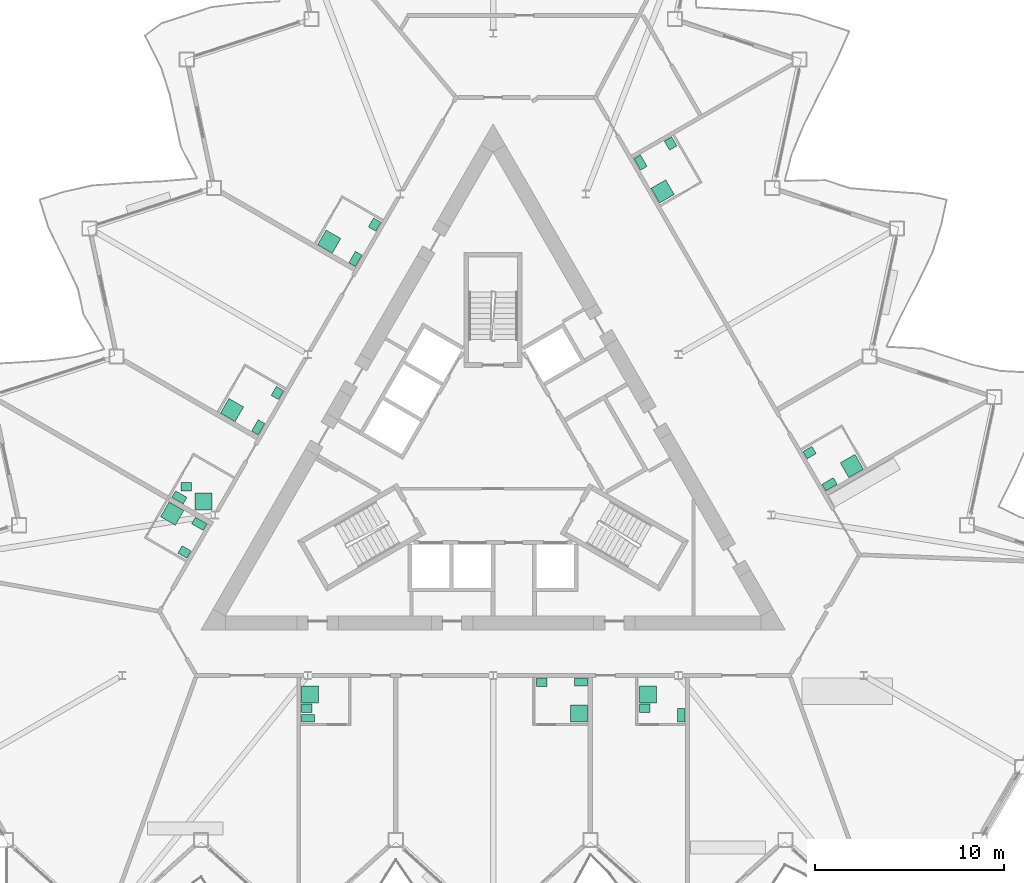
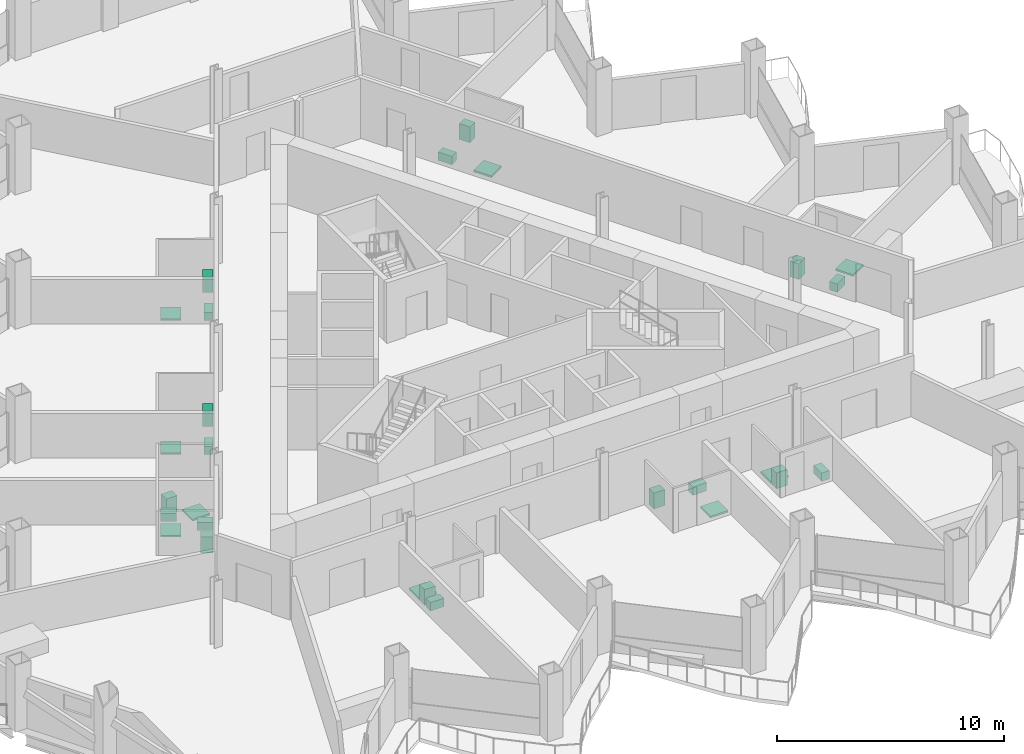
# One storey, part 22 of 23: 27 sanitary terminals.
"""IFC4 building model written with IfcOpenShell, lengths in metres."""

from ifc_helpers import new_model, si_unit, direction, frame, origin, origin_2d, place, context, subcontext, project, spatial, rectangle, extrude, material, type_object, element, save


model = new_model("IFC4")

# Units and contexts
model_context = context("Model", 3, precision=1e-05, world=origin(), true_north=direction((0.0, 1.0)))
body_context = subcontext(model_context, "Body", "Model", "MODEL_VIEW")
ifc_project = project(units=[si_unit("LENGTHUNIT", "METRE"), si_unit("AREAUNIT", "SQUARE_METRE"), si_unit("VOLUMEUNIT", "CUBIC_METRE"), si_unit("PLANEANGLEUNIT", "RADIAN"), si_unit("MASSUNIT", "GRAM", prefix="KILO")], contexts=[model_context])

# Site, building, storey
site_placement = place(None, origin())
site = spatial("IfcSite", under=ifc_project, at=site_placement, CompositionType="ELEMENT")
building_placement = place(site_placement, origin())
building = spatial("IfcBuilding", under=site, at=building_placement, Name="Cormorant Prow Tower", CompositionType="ELEMENT")
storey_placement = place(building_placement, frame((0.0, 0.0, 212.39990234375)))
storey = spatial("IfcBuildingStorey", under=building, at=storey_placement, Name="L47", CompositionType="ELEMENT", Elevation=212.39990234375)

# Sanitary terminals
ifc_material_1 = material(Name="Vitreous china")
sanitary_terminal_type_1 = type_object("IfcSanitaryTerminalType", Name="Shower tray 900x900", PredefinedType="SHOWER", material=ifc_material_1)
for number, where, z_axis, x_axis, name in (
    (1, (-9.71630859375, -12.35400390625, 0.0), (0.0, 0.0, 1.0), (1.0, 0.0, 0.0), "Shower tray"),
    (2, (4.560546875, -13.35400390625, 0.0), (0.0, 0.0, 1.0), (-1.0, 0.0, 0.0), "Shower tray"),
    (3, (8.206298828125, -12.35400390625, 0.0), (0.0, 0.0, 1.0), (1.0, 0.0, 0.0), "Shower tray"),
    (4, (19.02099609375, -0.237548828125, 0.0), (0.0, 0.0, 1.0), (-0.866025403784, -0.5, 0.0), "Shower tray"),
    (5, (8.98876953125, 14.319091796875, 0.0), (0.0, 0.0, 1.0), (-0.5, 0.866025403784, 0.0), "Shower tray"),
    (6, (-8.689453125, 11.6572265625, 0.0), (0.0, 0.0, 1.0), (0.5, 0.866025403784, 0.0), "Shower tray"),
    (7, (-13.84521484375, 2.727294921875, 0.0), (0.0, 0.0, 1.0), (0.5, 0.866025403784, 0.0), "Shower tray"),
    (8, (-15.35595703125, -2.12548828125, 0.0), (0.0, 0.0, 1.0), (1.0, 0.0, 0.0), "Shower tray"),
    (9, (-17.01806640625, -2.76806640625, 0.0), (0.0, 0.0, 1.0), (0.866025403784, -0.5, 0.0), "Shower tray"),
):
    element("IfcSanitaryTerminal", number, at=place(storey_placement, frame(where, z_axis=z_axis, x_axis=x_axis)), inside=storey, type_object=sanitary_terminal_type_1, Name=name, PredefinedType="SHOWER", context=body_context, shape_type="SweptSolid", body=[
        extrude(rectangle(XDim=0.89990234375, YDim=0.89990234375, at=origin_2d()), origin(), (0.0, 0.0, 1.0), 0.10009765625),
    ])
ifc_material_2 = material(Name="Vitreous china")
sanitary_terminal_type_2 = type_object("IfcSanitaryTerminalType", Name="Wash basin 550x450", PredefinedType="WASHHANDBASIN", material=ifc_material_2)
for number, where, z_axis, x_axis, name in (
    (10, (-9.891357421875, -13.078857421875, 0.0), (0.0, 0.0, 1.0), (1.0, 0.0, 0.0), "Wash basin"),
    (11, (2.57568359375, -11.718994140625, 0.0), (0.0, 0.0, 1.0), (1.0, 0.0, 0.0), "Wash basin"),
    (12, (8.03125, -13.078857421875, 0.0), (0.0, 0.0, 1.0), (1.0, 0.0, 0.0), "Wash basin"),
    (13, (16.781005859375, 0.472412109375, 0.0), (0.0, 0.0, 1.0), (0.866025403784, 0.5, 0.0), "Wash basin"),
    (14, (9.412109375, 16.855712890625, 0.0), (0.0, 0.0, 1.0), (0.5, -0.866025403784, 0.0), "Wash basin"),
    (15, (-6.281005859375, 12.55859375, 0.0), (0.0, 0.0, 1.0), (-0.5, -0.866025403784, 0.0), "Wash basin"),
    (16, (-11.436767578125, 3.62890625, 0.0), (0.0, 0.0, 1.0), (-0.5, -0.866025403784, 0.0), "Wash basin"),
    (17, (-16.281005859375, -1.3505859375, 0.0), (0.0, 0.0, 1.0), (1.0, 0.0, 0.0), "Wash basin"),
    (18, (-16.36279296875, -4.803466796875, 0.0), (0.0, 0.0, 1.0), (-0.866025403784, 0.5, 0.0), "Wash basin"),
):
    element("IfcSanitaryTerminal", number, at=place(storey_placement, frame(where, z_axis=z_axis, x_axis=x_axis)), inside=storey, type_object=sanitary_terminal_type_2, Name=name, PredefinedType="WASHHANDBASIN", context=body_context, shape_type="SweptSolid", body=[
        extrude(rectangle(XDim=0.550048828125, YDim=0.449951171875, at=origin_2d()), origin(), (0.0, 0.0, 1.0), 0.85009765625),
    ])
ifc_material_3 = material(Name="Vitreous china")
sanitary_terminal_type_3 = type_object("IfcSanitaryTerminalType", Name="Water closet 400x700", PredefinedType="WCSEAT", material=ifc_material_3)
for number, where, z_axis, x_axis, name in (
    (19, (-9.81640625, -13.60400390625, 0.0), (0.0, 0.0, 1.0), (0.0, 1.0, 0.0), "Water closet"),
    (20, (4.66064453125, -11.69384765625, 0.0), (0.0, 0.0, 1.0), (0.0, -1.0, 0.0), "Water closet"),
    (21, (9.96630859375, -13.453857421875, 0.0), (0.0, 0.0, 1.0), (-1.0, 0.0, 0.0), "Water closet"),
    (22, (17.83837890625, -1.208984375, 0.0), (0.0, 0.0, 1.0), (-0.5, 0.866025403784, 0.0), "Water closet"),
    (23, (7.817138671875, 15.84814453125, 0.0), (0.0, 0.0, 1.0), (0.866025403784, 0.5, 0.0), "Water closet"),
    (24, (-7.302001953125, 10.740478515625, 0.0), (0.0, 0.0, 1.0), (-0.866025403784, 0.5, 0.0), "Water closet"),
    (25, (-12.45751953125, 1.810791015625, 0.0), (0.0, 0.0, 1.0), (-0.866025403784, 0.5, 0.0), "Water closet"),
    (26, (-16.634521484375, -1.904052734375, 0.0), (0.0, 0.0, 1.0), (0.5, 0.866025403784, 0.0), "Water closet"),
    (27, (-15.585205078125, -3.306640625, 0.0), (0.0, 0.0, 1.0), (-0.5, -0.866025403784, 0.0), "Water closet"),
):
    element("IfcSanitaryTerminal", number, at=place(storey_placement, frame(where, z_axis=z_axis, x_axis=x_axis)), inside=storey, type_object=sanitary_terminal_type_3, Name=name, PredefinedType="WCSEAT", context=body_context, shape_type="SweptSolid", body=[
        extrude(rectangle(XDim=0.39990234375, YDim=0.699951171875, at=origin_2d()), origin(), (0.0, 0.0, 1.0), 0.449951171875),
    ])

save(model, "model.ifc")
